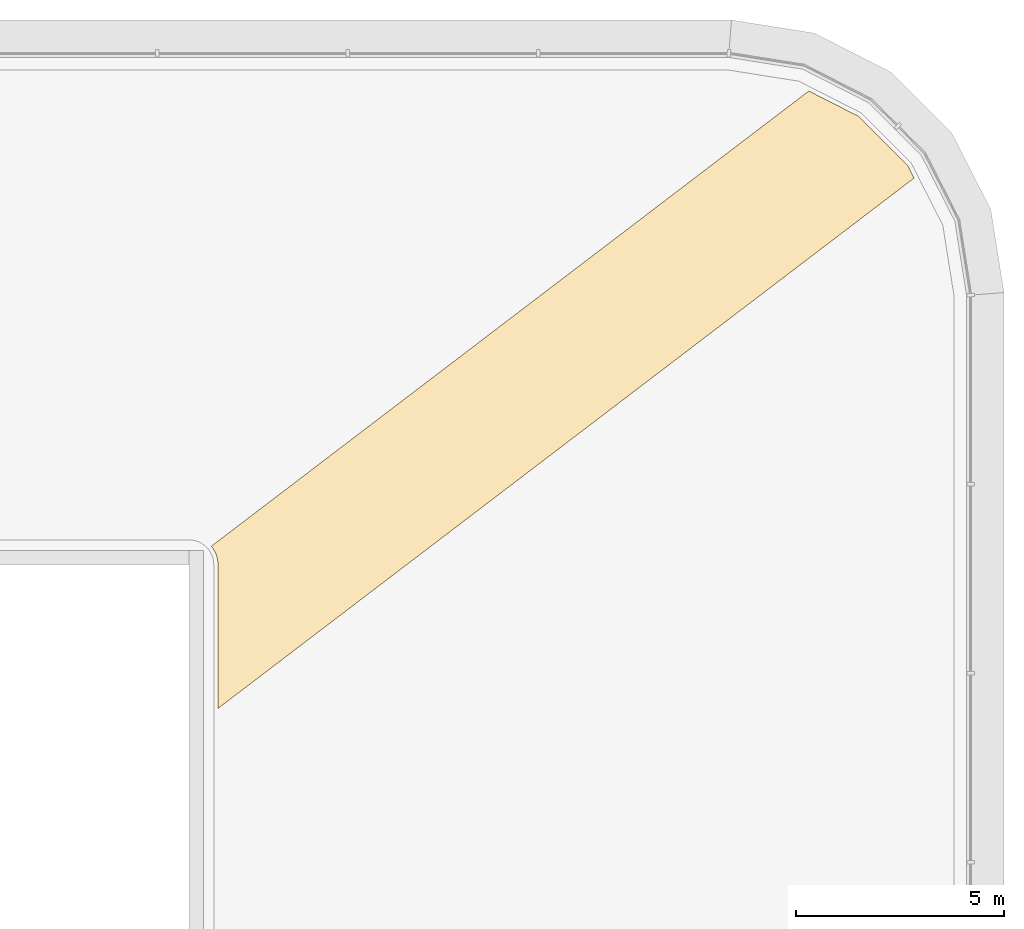
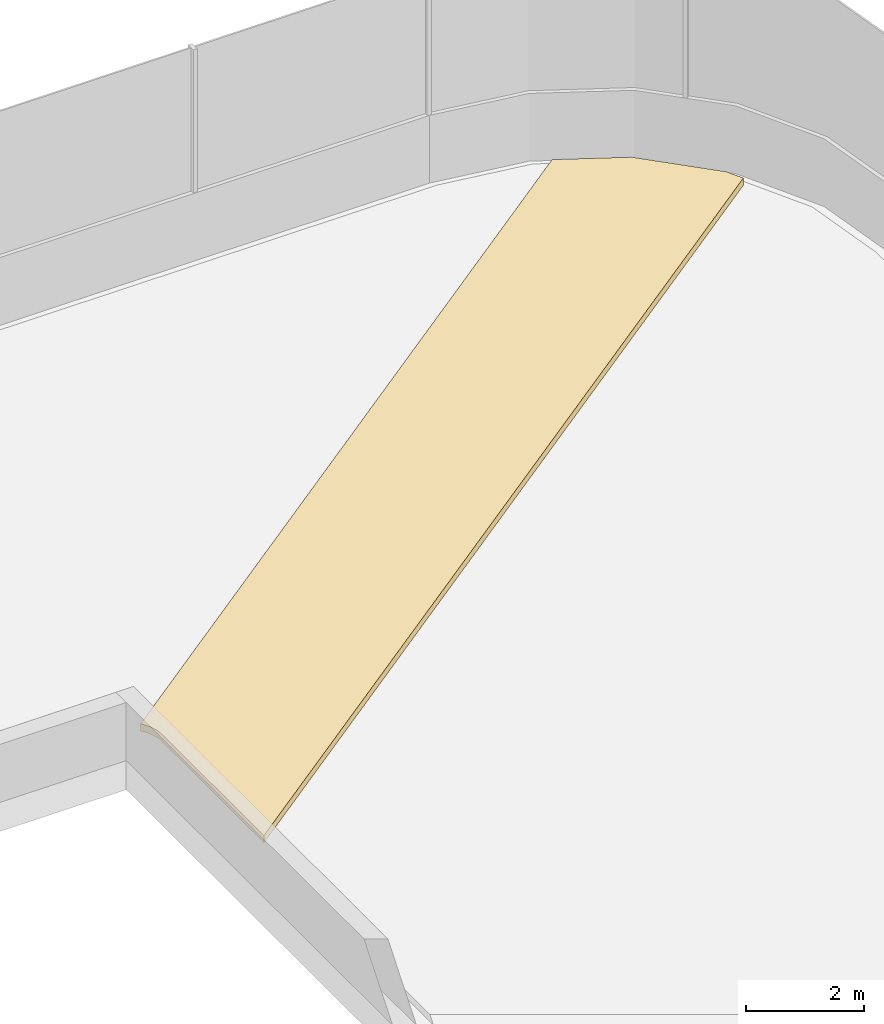
# One storey, part 37 of 37: 1 covering.
"""IFC4 building model written with IfcOpenShell, lengths in metres."""

from ifc_helpers import new_model, si_unit, direction, frame, origin, place, context, subcontext, project, spatial, polyline, outline, extrude, material, layer, layer_set, type_object, element, save


model = new_model("IFC4")

# Units and contexts
model_context = context("Model", 3, precision=1e-05, world=origin(), true_north=direction((0.0, 1.0)))
body_context = subcontext(model_context, "Body", "Model", "MODEL_VIEW")
ifc_project = project(units=[si_unit("LENGTHUNIT", "METRE"), si_unit("AREAUNIT", "SQUARE_METRE"), si_unit("VOLUMEUNIT", "CUBIC_METRE"), si_unit("PLANEANGLEUNIT", "RADIAN"), si_unit("MASSUNIT", "GRAM", prefix="KILO")], contexts=[model_context])

# Site, building, storey
site_placement = place(None, origin())
site = spatial("IfcSite", under=ifc_project, at=site_placement, CompositionType="ELEMENT")
building_placement = place(site_placement, origin())
building = spatial("IfcBuilding", under=site, at=building_placement, Name="Tamarind Cross Interchange Tower", CompositionType="ELEMENT")
storey_placement = place(building_placement, frame((0.0, 0.0, 29.5)))
storey = spatial("IfcBuildingStorey", under=building, at=storey_placement, Name="L05", CompositionType="ELEMENT", Elevation=29.5)

# Covering
ifc_material = material(Name="Terracotta paving", Category="masonry")
ifc_layer = layer(ifc_material, 0.14990234375)
ifc_layer_set = layer_set([ifc_layer], Name="Terracotta paving")
covering_type = type_object("IfcCoveringType", Name="Roof terrace paving", PredefinedType="FLOORING", material=ifc_layer_set)
covering_placement = place(storey_placement, frame((0.0, 0.0, 0.14990234375)))
element("IfcCovering", 1, at=covering_placement, inside=storey, type_object=covering_type, Name="PAVR-L05-02", PredefinedType="FLOORING", context=body_context, shape_type="SweptSolid", body=[
    extrude(outline(polyline([(58.110107421875, 54.28076171875), (56.90771484375, 54.893310546875), (42.539306640625, 43.9462890625), (42.544189453125, 43.940185546875), (42.5791015625, 43.892822265625), (42.584716796875, 43.884765625), (42.614990234375, 43.834228515625), (42.61962890625, 43.82568359375), (42.644775390625, 43.7724609375), (42.6484375, 43.76318359375), (42.668212890625, 43.7080078125), (42.671142578125, 43.698486328125), (42.685546875, 43.641357421875), (42.6875, 43.631591796875), (42.696044921875, 43.573486328125), (42.697021484375, 43.563720703125), (42.699951171875, 43.5048828125), (42.699951171875, 43.5), (42.699951171875, 40.045654296875), (59.439208984375, 52.79931640625), (59.28076171875, 53.110107421875), (58.110107421875, 54.28076171875)])), origin(), (0.0, 0.0, 1.0), 0.150146484375),
])

save(model, "model.ifc")
